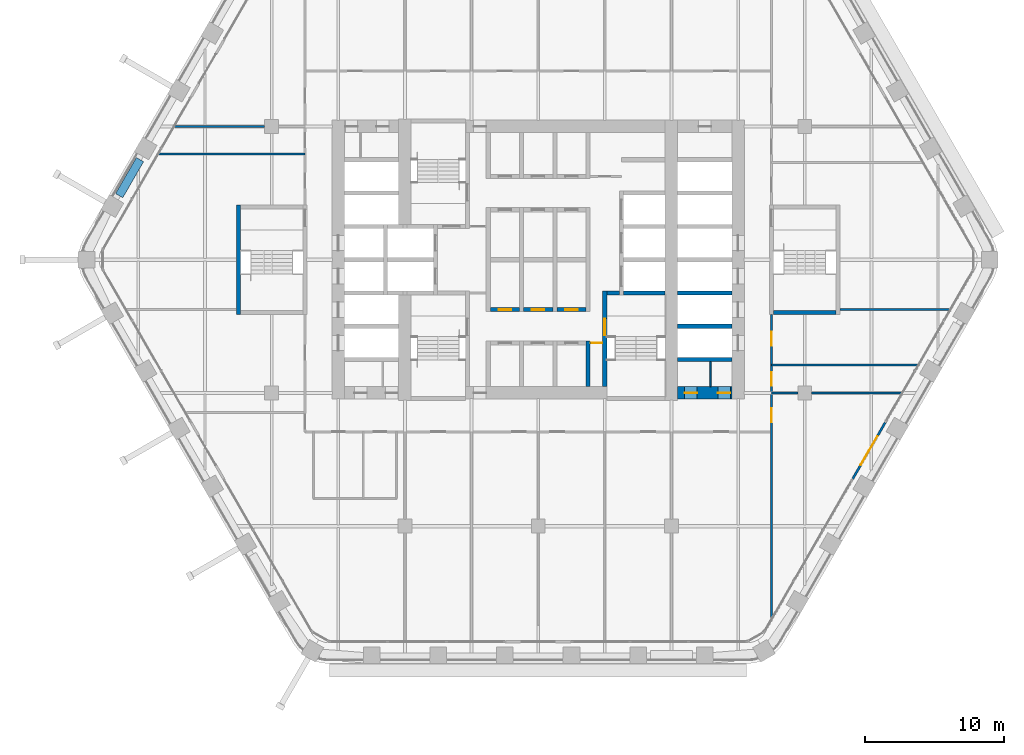
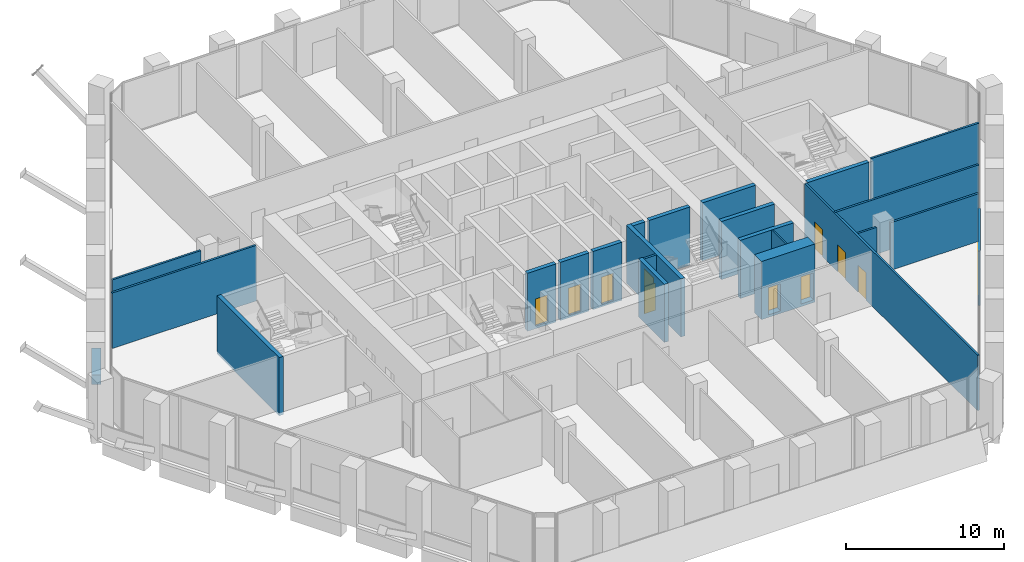
# One storey, part 16 of 27: 24 walls, 11 doors, 11 openings.
"""IFC4 building model written with IfcOpenShell, lengths in metres."""

from ifc_helpers import new_model, si_unit, direction, frame, frame_2d, origin, place, context, subcontext, project, spatial, rectangle, extrude, material, layer, layer_set, type_object, element, fill, save


model = new_model("IFC4")

# Units and contexts
model_context = context("Model", 3, precision=1e-05, world=origin(), true_north=direction((0.0, 1.0)))
body_context = subcontext(model_context, "Body", "Model", "MODEL_VIEW")
ifc_project = project(units=[si_unit("LENGTHUNIT", "METRE"), si_unit("AREAUNIT", "SQUARE_METRE"), si_unit("VOLUMEUNIT", "CUBIC_METRE"), si_unit("PLANEANGLEUNIT", "RADIAN"), si_unit("MASSUNIT", "GRAM", prefix="KILO")], contexts=[model_context])

# Site, building, storey
site_placement = place(None, origin())
site = spatial("IfcSite", under=ifc_project, at=site_placement, CompositionType="ELEMENT")
building_placement = place(site_placement, origin())
building = spatial("IfcBuilding", under=site, at=building_placement, Name="Kolab Exchange Tower", CompositionType="ELEMENT")
storey_placement = place(building_placement, frame((0.0, 0.0, 118.39990234375)))
storey = spatial("IfcBuildingStorey", under=building, at=storey_placement, Name="L23", CompositionType="ELEMENT", Elevation=118.39990234375)

# Wall, openings, doors
ifc_material_1 = material(Name="Concrete C70/85", Category="concrete")
ifc_layer_1 = layer(ifc_material_1, 0.89990234375)
ifc_layer_set_1 = layer_set([ifc_layer_1], Name="Concrete C70/85")
wall_type_1 = type_object("IfcWallType", Name="CORE WALL 900 C70/85", PredefinedType="SHEAR", material=ifc_layer_set_1)
wall_1_placement = place(storey_placement, frame((10.050048828125, -9.60009765625, -0.199951171875), z_axis=(0.0, 0.0, 1.0), x_axis=(1.0, 0.0, 0.0)))
wall_1 = element("IfcWall", 1, at=wall_1_placement, inside=storey, type_object=wall_type_1, Name="wall/L23/core/004", PredefinedType="SHEAR", context=body_context, shape_type="SweptSolid", body=[
    extrude(rectangle(XDim=3.89990234375, YDim=0.89990234375, at=frame_2d((1.949951171875, 0.0))), origin(), (0.0, 0.0, 1.0), 4.5),
])
opening_1_placement = place(wall_1_placement, frame((0.5, 0.0, 0.199951171875)))
opening_1 = element("IfcOpeningElement", 2, at=opening_1_placement, cuts=wall_1, Name="Opening D6-232", PredefinedType="OPENING", context=body_context, shape_type="SweptSolid", body=[
    extrude(rectangle(XDim=0.89990234375, YDim=2.10009765625, at=frame_2d((0.449951171875, 1.050048828125))), frame((0.0, 0.4599609375, 0.0), z_axis=(0.0, -1.0, 0.0), x_axis=(1.0, 0.0, 0.0)), (0.0, 0.0, 1.0), 0.919921875),
])
opening_2_placement = place(wall_1_placement, frame((2.89990234375, 0.0, 0.199951171875)))
opening_2 = element("IfcOpeningElement", 3, at=opening_2_placement, cuts=wall_1, Name="Opening D6-233", PredefinedType="OPENING", context=body_context, shape_type="SweptSolid", body=[
    extrude(rectangle(XDim=0.89990234375, YDim=2.10009765625, at=frame_2d((0.449951171875, 1.050048828125))), frame((0.0, 0.4599609375, 0.0), z_axis=(0.0, -1.0, 0.0), x_axis=(1.0, 0.0, 0.0)), (0.0, 0.0, 1.0), 0.919921875),
])
ifc_material_2 = material(Name="Steel S235", Category="steel")
door_type_1 = type_object("IfcDoorType", Name="CORE DOOR 900 EI 120", OperationType="SINGLE_SWING_LEFT", PredefinedType="DOOR", material=ifc_material_2)
door_1_placement = place(opening_1_placement, origin())
door_1 = element("IfcDoor", 4, at=door_1_placement, inside=storey, type_object=door_type_1, Name="Service room door", OperationType="SINGLE_SWING_LEFT", OverallHeight=2.10009765625, OverallWidth=0.89990234375, PredefinedType="DOOR", context=body_context, shape_type="SweptSolid", body=[
    extrude(rectangle(XDim=0.89990234375, YDim=2.10009765625, at=frame_2d((0.449951171875, 1.050048828125))), frame((0.0, 0.02490234375, 0.0), z_axis=(0.0, -1.0, 0.0), x_axis=(1.0, 0.0, 0.0)), (0.0, 0.0, 1.0), 0.050048828125),
])
fill(opening_1, door_1)
door_2_placement = place(opening_2_placement, origin())
door_2 = element("IfcDoor", 5, at=door_2_placement, inside=storey, type_object=door_type_1, Name="Service room door", OperationType="SINGLE_SWING_LEFT", OverallHeight=2.10009765625, OverallWidth=0.89990234375, PredefinedType="DOOR", context=body_context, shape_type="SweptSolid", body=[
    extrude(rectangle(XDim=0.89990234375, YDim=2.10009765625, at=frame_2d((0.449951171875, 1.050048828125))), frame((0.0, 0.02490234375, 0.0), z_axis=(0.0, -1.0, 0.0), x_axis=(1.0, 0.0, 0.0)), (0.0, 0.0, 1.0), 0.050048828125),
])
fill(opening_2, door_2)

# Wall, opening, door
ifc_material_3 = material(Name="Aluminium EN AW-6063 T6", Category="aluminium")
ifc_layer_2 = layer(ifc_material_3, 0.159912109375)
ifc_layer_set_2 = layer_set([ifc_layer_2], Name="Aluminium EN AW-6063 T6")
wall_type_2 = type_object("IfcWallType", Name="DOOR SURROUND WALL 160 ALUMINIUM FRAMED", PredefinedType="PARTITIONING", material=ifc_layer_set_2)
wall_2_placement = place(storey_placement, frame((25.0166015625, -11.706787109375, 0.0), z_axis=(0.0, 0.0, 1.0), x_axis=(-0.499978080042, -0.866038058908, 0.0)))
wall_2 = element("IfcWall", 6, at=wall_2_placement, inside=storey, type_object=wall_type_2, Name="Door surround wall", PredefinedType="PARTITIONING", context=body_context, shape_type="SweptSolid", body=[
    extrude(rectangle(XDim=4.739990234375, YDim=0.159912109375, at=frame_2d((2.3701171875, 0.0))), origin(), (0.0, 0.0, 1.0), 4.2001953125),
])
opening_3_placement = place(wall_2_placement, frame((1.169921875, 0.0, 0.0)))
opening_3 = element("IfcOpeningElement", 7, at=opening_3_placement, cuts=wall_2, Name="Opening GD1-045", PredefinedType="OPENING", context=body_context, shape_type="SweptSolid", body=[
    extrude(rectangle(XDim=2.39990234375, YDim=2.39990234375, at=frame_2d((1.199951171875, 1.199951171875))), frame((0.0, 0.08984375, 0.0), z_axis=(0.0, -1.0, 0.0), x_axis=(1.0, 0.0, 0.0)), (0.0, 0.0, 1.0), 0.179931640625),
])
door_type_2 = type_object("IfcDoorType", Name="LOGGIA SLIDING GLASS DOOR 2400 X 2400", OperationType="DOUBLE_DOOR_SINGLE_SWING", PredefinedType="DOOR", material=ifc_material_3)
door_3_placement = place(opening_3_placement, origin())
door_3 = element("IfcDoor", 8, at=door_3_placement, inside=storey, type_object=door_type_2, Name="Loggia door", OperationType="DOUBLE_DOOR_SLIDING", OverallHeight=2.39990234375, OverallWidth=2.39990234375, PredefinedType="DOOR", context=body_context, shape_type="SweptSolid", body=[
    extrude(rectangle(XDim=2.39990234375, YDim=2.39990234375, at=frame_2d((1.199951171875, 1.199951171875))), frame((0.0, 0.02490234375, 0.0), z_axis=(0.0, -1.0, 0.0), x_axis=(1.0, 0.0, 0.0)), (0.0, 0.0, 1.0), 0.050048828125),
])
fill(opening_3, door_3)

# Walls
ifc_material_4 = material(Name="Concrete C50/60", Category="concrete")
ifc_layer_3 = layer(ifc_material_4, 0.300048828125)
ifc_layer_set_3 = layer_set([ifc_layer_3], Name="Concrete C50/60")
wall_type_3 = type_object("IfcWallType", Name="LIFT SHAFT WALL 300 C50/60", PredefinedType="STANDARD", material=ifc_layer_set_3)
for number, where, z_axis, x_axis, name in (
    (9, (10.050048828125, -7.199951171875, -0.199951171875), (0.0, 0.0, 1.0), (1.0, 0.0, 0.0), "wall/L23/core/006"),
    (10, (10.050048828125, -4.800048828125, -0.199951171875), (0.0, 0.0, 1.0), (1.0, 0.0, 0.0), "wall/L23/core/011"),
):
    element("IfcWall", number, at=place(storey_placement, frame(where, z_axis=z_axis, x_axis=x_axis)), inside=storey, type_object=wall_type_3, Name=name, PredefinedType="STANDARD", context=body_context, shape_type="SweptSolid", body=[
        extrude(rectangle(XDim=3.89990234375, YDim=0.300048828125, at=frame_2d((1.949951171875, 0.0))), origin(), (0.0, 0.0, 1.0), 4.5),
    ])

# Wall, opening, door
wall_3_placement = place(storey_placement, frame((-3.449951171875, -3.60009765625, -0.199951171875), z_axis=(0.0, 0.0, 1.0), x_axis=(1.0, 0.0, 0.0)))
wall_3 = element("IfcWall", 11, at=wall_3_placement, inside=storey, type_object=wall_type_3, Name="wall/L23/core/014", PredefinedType="STANDARD", context=body_context, shape_type="SweptSolid", body=[
    extrude(rectangle(XDim=2.099853515625, YDim=0.300048828125, at=frame_2d((1.0498046875, 0.0))), origin(), (0.0, 0.0, 1.0), 4.5),
])
opening_4_placement = place(wall_3_placement, frame((0.60009765625, 0.0, 0.199951171875)))
opening_4 = element("IfcOpeningElement", 12, at=opening_4_placement, cuts=wall_3, Name="Opening D6-199", PredefinedType="OPENING", context=body_context, shape_type="SweptSolid", body=[
    extrude(rectangle(XDim=0.89990234375, YDim=2.10009765625, at=frame_2d((0.449951171875, 1.050048828125))), frame((0.0, 0.16015625, 0.0), z_axis=(0.0, -1.0, 0.0), x_axis=(1.0, 0.0, 0.0)), (0.0, 0.0, 1.0), 0.320068359375),
])
door_4_placement = place(opening_4_placement, origin())
door_4 = element("IfcDoor", 13, at=door_4_placement, inside=storey, type_object=door_type_1, Name="Service room door", OperationType="SINGLE_SWING_LEFT", OverallHeight=2.10009765625, OverallWidth=0.89990234375, PredefinedType="DOOR", context=body_context, shape_type="SweptSolid", body=[
    extrude(rectangle(XDim=0.89990234375, YDim=2.10009765625, at=frame_2d((0.449951171875, 1.050048828125))), frame((0.0, 0.02490234375, 0.0), z_axis=(0.0, -1.0, 0.0), x_axis=(1.0, 0.0, 0.0)), (0.0, 0.0, 1.0), 0.050048828125),
])
fill(opening_4, door_4)

wall_4_placement = place(storey_placement, frame((-1.050048828125, -3.60009765625, -0.199951171875), z_axis=(0.0, 0.0, 1.0), x_axis=(1.0, 0.0, 0.0)))
wall_4 = element("IfcWall", 14, at=wall_4_placement, inside=storey, type_object=wall_type_3, Name="wall/L23/core/015", PredefinedType="STANDARD", context=body_context, shape_type="SweptSolid", body=[
    extrude(rectangle(XDim=2.10009765625, YDim=0.300048828125, at=frame_2d((1.050048828125, 0.0))), origin(), (0.0, 0.0, 1.0), 4.5),
])
opening_5_placement = place(wall_4_placement, frame((0.60009765625, 0.0, 0.199951171875)))
opening_5 = element("IfcOpeningElement", 15, at=opening_5_placement, cuts=wall_4, Name="Opening D6-215", PredefinedType="OPENING", context=body_context, shape_type="SweptSolid", body=[
    extrude(rectangle(XDim=0.89990234375, YDim=2.10009765625, at=frame_2d((0.449951171875, 1.050048828125))), frame((0.0, 0.16015625, 0.0), z_axis=(0.0, -1.0, 0.0), x_axis=(1.0, 0.0, 0.0)), (0.0, 0.0, 1.0), 0.320068359375),
])
door_5_placement = place(opening_5_placement, origin())
door_5 = element("IfcDoor", 16, at=door_5_placement, inside=storey, type_object=door_type_1, Name="Service room door", OperationType="SINGLE_SWING_LEFT", OverallHeight=2.10009765625, OverallWidth=0.89990234375, PredefinedType="DOOR", context=body_context, shape_type="SweptSolid", body=[
    extrude(rectangle(XDim=0.89990234375, YDim=2.10009765625, at=frame_2d((0.449951171875, 1.050048828125))), frame((0.0, 0.02490234375, 0.0), z_axis=(0.0, -1.0, 0.0), x_axis=(1.0, 0.0, 0.0)), (0.0, 0.0, 1.0), 0.050048828125),
])
fill(opening_5, door_5)

wall_5_placement = place(storey_placement, frame((1.35009765625, -3.60009765625, -0.199951171875), z_axis=(0.0, 0.0, 1.0), x_axis=(1.0, 0.0, 0.0)))
wall_5 = element("IfcWall", 17, at=wall_5_placement, inside=storey, type_object=wall_type_3, Name="wall/L23/core/016", PredefinedType="STANDARD", context=body_context, shape_type="SweptSolid", body=[
    extrude(rectangle(XDim=2.099853515625, YDim=0.300048828125, at=frame_2d((1.0498046875, 0.0))), origin(), (0.0, 0.0, 1.0), 4.5),
])
opening_6_placement = place(wall_5_placement, frame((0.60009765625, 0.0, 0.199951171875)))
opening_6 = element("IfcOpeningElement", 18, at=opening_6_placement, cuts=wall_5, Name="Opening D6-197", PredefinedType="OPENING", context=body_context, shape_type="SweptSolid", body=[
    extrude(rectangle(XDim=0.89990234375, YDim=2.10009765625, at=frame_2d((0.449951171875, 1.050048828125))), frame((0.0, 0.16015625, 0.0), z_axis=(0.0, -1.0, 0.0), x_axis=(1.0, 0.0, 0.0)), (0.0, 0.0, 1.0), 0.320068359375),
])
door_6_placement = place(opening_6_placement, origin())
door_6 = element("IfcDoor", 19, at=door_6_placement, inside=storey, type_object=door_type_1, Name="Service room door", OperationType="SINGLE_SWING_RIGHT", OverallHeight=2.10009765625, OverallWidth=0.89990234375, PredefinedType="DOOR", context=body_context, shape_type="SweptSolid", body=[
    extrude(rectangle(XDim=0.89990234375, YDim=2.10009765625, at=frame_2d((0.449951171875, 1.050048828125))), frame((0.0, 0.02490234375, 0.0), z_axis=(0.0, -1.0, 0.0), x_axis=(1.0, 0.0, 0.0)), (0.0, 0.0, 1.0), 0.050048828125),
])
fill(opening_6, door_6)

# Walls
wall_6_placement = place(storey_placement, frame((10.050048828125, -2.39990234375, -0.199951171875), z_axis=(0.0, 0.0, 1.0), x_axis=(1.0, 0.0, 0.0)))
element("IfcWall", 20, at=wall_6_placement, inside=storey, type_object=wall_type_3, Name="wall/L23/core/023", PredefinedType="STANDARD", context=body_context, shape_type="SweptSolid", body=[
    extrude(rectangle(XDim=3.89990234375, YDim=0.300048828125, at=frame_2d((1.949951171875, 0.0))), origin(), (0.0, 0.0, 1.0), 4.5),
])
wall_7_placement = place(storey_placement, frame((3.60009765625, -9.14990234375, -0.199951171875), z_axis=(0.0, 0.0, 1.0), x_axis=(0.0, 1.0, 0.0)))
element("IfcWall", 21, at=wall_7_placement, inside=storey, type_object=wall_type_3, Name="wall/L23/core/075", PredefinedType="STANDARD", context=body_context, shape_type="SweptSolid", body=[
    extrude(rectangle(XDim=3.2998046875, YDim=0.300048828125, at=frame_2d((1.64990234375, 0.0))), origin(), (0.0, 0.0, 1.0), 4.5),
])
ifc_material_5 = material(Name="Gypsum board", Category="gypsum")
ifc_layer_4 = layer(ifc_material_5, 0.10009765625)
ifc_layer_set_4 = layer_set([ifc_layer_4], Name="Gypsum board")
wall_type_4 = type_object("IfcWallType", Name="PARTITION 100", PredefinedType="PARTITIONING", material=ifc_layer_set_4)
wall_8_placement = place(storey_placement, frame((12.39990234375, -9.14990234375, 0.0), z_axis=(0.0, 0.0, 1.0), x_axis=(0.0, 1.0, 0.0)))
element("IfcWall", 22, at=wall_8_placement, inside=storey, type_object=wall_type_4, Name="Partition 002", PredefinedType="PARTITIONING", context=body_context, shape_type="SweptSolid", body=[
    extrude(rectangle(XDim=1.7998046875, YDim=0.10009765625, at=frame_2d((0.89990234375, 0.0))), origin(), (0.0, 0.0, 1.0), 4.300048828125),
])

# Wall, openings, doors
ifc_layer_5 = layer(ifc_material_5, 0.14990234375)
ifc_layer_set_5 = layer_set([ifc_layer_5], Name="Gypsum board")
wall_type_5 = type_object("IfcWallType", Name="PARTITION 150 FIRE-RATED", PredefinedType="PARTITIONING", material=ifc_layer_set_5)
wall_9_placement = place(storey_placement, frame((16.800048828125, -25.8583984375, 0.0), z_axis=(0.0, 0.0, 1.0), x_axis=(0.0, 1.0, 0.0)))
wall_9 = element("IfcWall", 23, at=wall_9_placement, inside=storey, type_object=wall_type_5, Name="Partition 000", PredefinedType="PARTITIONING", context=body_context, shape_type="SweptSolid", body=[
    extrude(rectangle(XDim=21.908447265625, YDim=0.14990234375, at=frame_2d((10.9541015625, 0.0))), origin(), (0.0, 0.0, 1.0), 4.300048828125),
])
opening_7_placement = place(wall_9_placement, frame((14.158447265625, 0.0, 0.0)))
opening_7 = element("IfcOpeningElement", 24, at=opening_7_placement, cuts=wall_9, Name="Opening D1-313", PredefinedType="OPENING", context=body_context, shape_type="SweptSolid", body=[
    extrude(rectangle(XDim=1.0, YDim=2.10009765625, at=frame_2d((0.5, 1.050048828125))), frame((0.0, 0.0849609375, 0.0), z_axis=(0.0, -1.0, 0.0), x_axis=(1.0, 0.0, 0.0)), (0.0, 0.0, 1.0), 0.169921875),
])
opening_8_placement = place(wall_9_placement, frame((16.758544921875, 0.0, 0.0)))
opening_8 = element("IfcOpeningElement", 25, at=opening_8_placement, cuts=wall_9, Name="Opening D1-314", PredefinedType="OPENING", context=body_context, shape_type="SweptSolid", body=[
    extrude(rectangle(XDim=1.0, YDim=2.10009765625, at=frame_2d((0.5, 1.050048828125))), frame((0.0, 0.0849609375, 0.0), z_axis=(0.0, -1.0, 0.0), x_axis=(1.0, 0.0, 0.0)), (0.0, 0.0, 1.0), 0.169921875),
])
opening_9_placement = place(wall_9_placement, frame((19.658447265625, 0.0, 0.0)))
opening_9 = element("IfcOpeningElement", 26, at=opening_9_placement, cuts=wall_9, Name="Opening D1-315", PredefinedType="OPENING", context=body_context, shape_type="SweptSolid", body=[
    extrude(rectangle(XDim=1.0, YDim=2.10009765625, at=frame_2d((0.5, 1.050048828125))), frame((0.0, 0.0849609375, 0.0), z_axis=(0.0, -1.0, 0.0), x_axis=(1.0, 0.0, 0.0)), (0.0, 0.0, 1.0), 0.169921875),
])
door_type_3 = type_object("IfcDoorType", Name="FLUSH DOOR 1000 FD60", OperationType="SINGLE_SWING_LEFT", PredefinedType="DOOR", material=ifc_material_2)
door_7_placement = place(opening_7_placement, frame((1.0, 0.0, 0.0), z_axis=(0.0, 0.0, 1.0), x_axis=(-1.0, 0.0, 0.0)))
door_7 = element("IfcDoor", 27, at=door_7_placement, inside=storey, type_object=door_type_3, Name="Door L23-060", OperationType="SINGLE_SWING_RIGHT", OverallHeight=2.10009765625, OverallWidth=1.0, PredefinedType="DOOR", context=body_context, shape_type="SweptSolid", body=[
    extrude(rectangle(XDim=1.0, YDim=2.10009765625, at=frame_2d((0.5, 1.050048828125))), frame((0.0, 0.02490234375, 0.0), z_axis=(0.0, -1.0, 0.0), x_axis=(1.0, 0.0, 0.0)), (0.0, 0.0, 1.0), 0.050048828125),
])
fill(opening_7, door_7)
door_8_placement = place(opening_8_placement, frame((1.0, 0.0, 0.0), z_axis=(0.0, 0.0, 1.0), x_axis=(-1.0, 0.0, 0.0)))
door_8 = element("IfcDoor", 28, at=door_8_placement, inside=storey, type_object=door_type_3, Name="Door L23-061", OperationType="SINGLE_SWING_RIGHT", OverallHeight=2.10009765625, OverallWidth=1.0, PredefinedType="DOOR", context=body_context, shape_type="SweptSolid", body=[
    extrude(rectangle(XDim=1.0, YDim=2.10009765625, at=frame_2d((0.5, 1.050048828125))), frame((0.0, 0.02490234375, 0.0), z_axis=(0.0, -1.0, 0.0), x_axis=(1.0, 0.0, 0.0)), (0.0, 0.0, 1.0), 0.050048828125),
])
fill(opening_8, door_8)
door_9_placement = place(opening_9_placement, frame((1.0, 0.0, 0.0), z_axis=(0.0, 0.0, 1.0), x_axis=(-1.0, 0.0, 0.0)))
door_9 = element("IfcDoor", 29, at=door_9_placement, inside=storey, type_object=door_type_3, Name="Door L23-062", OperationType="SINGLE_SWING_RIGHT", OverallHeight=2.10009765625, OverallWidth=1.0, PredefinedType="DOOR", context=body_context, shape_type="SweptSolid", body=[
    extrude(rectangle(XDim=1.0, YDim=2.10009765625, at=frame_2d((0.5, 1.050048828125))), frame((0.0, 0.02490234375, 0.0), z_axis=(0.0, -1.0, 0.0), x_axis=(1.0, 0.0, 0.0)), (0.0, 0.0, 1.0), 0.050048828125),
])
fill(opening_9, door_9)

# Walls
wall_10_placement = place(storey_placement, frame((16.800048828125, -9.60009765625, 0.0), z_axis=(0.0, 0.0, 1.0), x_axis=(1.0, 0.0, 0.0)))
element("IfcWall", 30, at=wall_10_placement, inside=storey, type_object=wall_type_5, Name="Partition 029", PredefinedType="PARTITIONING", context=body_context, shape_type="SweptSolid", body=[
    extrude(rectangle(XDim=1.89990234375, YDim=0.14990234375, at=frame_2d((0.949951171875, 0.0))), origin(), (0.0, 0.0, 1.0), 3.692138671875),
])
wall_11_placement = place(storey_placement, frame((19.699951171875, -9.60009765625, 0.0), z_axis=(0.0, 0.0, 1.0), x_axis=(1.0, 0.0, 0.0)))
element("IfcWall", 31, at=wall_11_placement, inside=storey, type_object=wall_type_5, Name="Partition 030", PredefinedType="PARTITIONING", context=body_context, shape_type="SweptSolid", body=[
    extrude(rectangle(XDim=6.48681640625, YDim=0.14990234375, at=frame_2d((3.243408203125, 0.0))), origin(), (0.0, 0.0, 1.0), 3.692138671875),
])
wall_12_placement = place(storey_placement, frame((16.800048828125, -7.60009765625, 0.0), z_axis=(0.0, 0.0, 1.0), x_axis=(1.0, 0.0, 0.0)))
element("IfcWall", 32, at=wall_12_placement, inside=storey, type_object=wall_type_5, Name="Partition 031", PredefinedType="PARTITIONING", context=body_context, shape_type="SweptSolid", body=[
    extrude(rectangle(XDim=10.54150390625, YDim=0.14990234375, at=frame_2d((5.270751953125, 0.0))), origin(), (0.0, 0.0, 1.0), 4.300048828125),
])

# Wall, opening, door
wall_13_placement = place(storey_placement, frame((3.75, -6.0, 0.0), z_axis=(0.0, 0.0, 1.0), x_axis=(1.0, 0.0, 0.0)))
wall_13 = element("IfcWall", 33, at=wall_13_placement, inside=storey, type_object=wall_type_5, Name="Partition 032", PredefinedType="PARTITIONING", context=body_context, shape_type="SweptSolid", body=[
    extrude(rectangle(XDim=0.89990234375, YDim=0.14990234375, at=frame_2d((0.449951171875, 0.0))), origin(), (0.0, 0.0, 1.0), 4.300048828125),
])
opening_10_placement = place(wall_13_placement, frame((0.050048828125, 0.0, 0.0)))
opening_10 = element("IfcOpeningElement", 34, at=opening_10_placement, cuts=wall_13, Name="Opening D7-019", PredefinedType="OPENING", context=body_context, shape_type="SweptSolid", body=[
    extrude(rectangle(XDim=0.800048828125, YDim=2.10009765625, at=frame_2d((0.39990234375, 1.050048828125))), frame((0.0, 0.0849609375, 0.0), z_axis=(0.0, -1.0, 0.0), x_axis=(1.0, 0.0, 0.0)), (0.0, 0.0, 1.0), 0.169921875),
])
door_type_4 = type_object("IfcDoorType", Name="FLUSH DOOR 800 FD60", OperationType="SINGLE_SWING_LEFT", PredefinedType="DOOR", material=ifc_material_2)
door_10_placement = place(opening_10_placement, frame((0.800048828125, 0.0, 0.0), z_axis=(0.0, 0.0, 1.0), x_axis=(-1.0, 0.0, 0.0)))
door_10 = element("IfcDoor", 35, at=door_10_placement, inside=storey, type_object=door_type_4, Name="Door L23-041", OperationType="SINGLE_SWING_RIGHT", OverallHeight=2.10009765625, OverallWidth=0.800048828125, PredefinedType="DOOR", context=body_context, shape_type="SweptSolid", body=[
    extrude(rectangle(XDim=0.800048828125, YDim=2.10009765625, at=frame_2d((0.39990234375, 1.050048828125))), frame((0.0, 0.02490234375, 0.0), z_axis=(0.0, -1.0, 0.0), x_axis=(1.0, 0.0, 0.0)), (0.0, 0.0, 1.0), 0.050048828125),
])
fill(opening_10, door_10)

# Walls
wall_14_placement = place(storey_placement, frame((21.75, -3.60009765625, 0.0), z_axis=(0.0, 0.0, 1.0), x_axis=(1.0, 0.0, 0.0)))
element("IfcWall", 36, at=wall_14_placement, inside=storey, type_object=wall_type_5, Name="Partition 034", PredefinedType="PARTITIONING", context=body_context, shape_type="SweptSolid", body=[
    extrude(rectangle(XDim=7.90087890625, YDim=0.14990234375, at=frame_2d((3.950439453125, 0.0))), origin(), (0.0, 0.0, 1.0), 4.300048828125),
])
wall_15_placement = place(storey_placement, frame((-27.341552734375, 7.60009765625, 0.0), z_axis=(0.0, 0.0, 1.0), x_axis=(1.0, 0.0, 0.0)))
element("IfcWall", 37, at=wall_15_placement, inside=storey, type_object=wall_type_5, Name="Partition 037", PredefinedType="PARTITIONING", context=body_context, shape_type="SweptSolid", body=[
    extrude(rectangle(XDim=10.54150390625, YDim=0.14990234375, at=frame_2d((5.270751953125, 0.0))), origin(), (0.0, 0.0, 1.0), 4.300048828125),
])
wall_16_placement = place(storey_placement, frame((-26.186767578125, 9.60009765625, 0.0), z_axis=(0.0, 0.0, 1.0), x_axis=(1.0, 0.0, 0.0)))
element("IfcWall", 38, at=wall_16_placement, inside=storey, type_object=wall_type_5, Name="Partition 038", PredefinedType="PARTITIONING", context=body_context, shape_type="SweptSolid", body=[
    extrude(rectangle(XDim=6.48681640625, YDim=0.14990234375, at=frame_2d((3.243408203125, 0.0))), origin(), (0.0, 0.0, 1.0), 3.692138671875),
])
ifc_material_6 = material(Name="Granite facing", Category="masonry")
ifc_layer_6 = layer(ifc_material_6, 0.0400390625)
ifc_material_7 = material(Name="Concrete C40/50 precast", Category="concrete")
ifc_layer_7 = layer(ifc_material_7, 0.56005859375)
ifc_layer_set_6 = layer_set([ifc_layer_6, ifc_layer_7], Name="Concrete C40/50 precast")
wall_type_6 = type_object("IfcWallType", Name="PLANTER BOX 600 X 700 SOIL DEPTH 550", PredefinedType="USERDEFINED", material=ifc_layer_set_6)
wall_17_placement = place(storey_placement, frame((-30.18701171875, 4.611328125, 0.0), z_axis=(0.0, 0.0, 1.0), x_axis=(0.499990139034, 0.866031096941, 0.0)))
element("IfcWall", 39, at=wall_17_placement, inside=storey, type_object=wall_type_6, Name="Planter", ObjectType="PLANTER", PredefinedType="USERDEFINED", context=body_context, shape_type="SweptSolid", body=[
    extrude(rectangle(XDim=3.0, YDim=0.60009765625, at=frame_2d((1.5, 0.0))), origin(), (0.0, 0.0, 1.0), 0.7001953125),
])
ifc_layer_8 = layer(ifc_material_4, 0.300048828125)
ifc_layer_set_7 = layer_set([ifc_layer_8], Name="Concrete C50/60")
wall_type_7 = type_object("IfcWallType", Name="STAIR ENCLOSURE WALL 300 C50/60", PredefinedType="STANDARD", material=ifc_layer_set_7)
wall_18_placement = place(storey_placement, frame((16.949951171875, -3.800048828125, -0.199951171875), z_axis=(0.0, 0.0, 1.0), x_axis=(1.0, 0.0, 0.0)))
element("IfcWall", 40, at=wall_18_placement, inside=storey, type_object=wall_type_7, Name="wall/L23/core/013", PredefinedType="STANDARD", context=body_context, shape_type="SweptSolid", body=[
    extrude(rectangle(XDim=4.5, YDim=0.300048828125, at=frame_2d((2.25, 0.0))), origin(), (0.0, 0.0, 1.0), 4.5),
])
wall_19_placement = place(storey_placement, frame((4.949951171875, -2.39990234375, -0.199951171875), z_axis=(0.0, 0.0, 1.0), x_axis=(1.0, 0.0, 0.0)))
element("IfcWall", 41, at=wall_19_placement, inside=storey, type_object=wall_type_7, Name="wall/L23/core/021", PredefinedType="STANDARD", context=body_context, shape_type="SweptSolid", body=[
    extrude(rectangle(XDim=0.900146484375, YDim=0.300048828125, at=frame_2d((0.4501953125, 0.0))), origin(), (0.0, 0.0, 1.0), 4.5),
])
wall_20_placement = place(storey_placement, frame((6.14990234375, -2.39990234375, -0.199951171875), z_axis=(0.0, 0.0, 1.0), x_axis=(1.0, 0.0, 0.0)))
element("IfcWall", 42, at=wall_20_placement, inside=storey, type_object=wall_type_7, Name="wall/L23/core/022", PredefinedType="STANDARD", context=body_context, shape_type="SweptSolid", body=[
    extrude(rectangle(XDim=3.0, YDim=0.300048828125, at=frame_2d((1.5, 0.0))), origin(), (0.0, 0.0, 1.0), 4.5),
])
wall_21_placement = place(storey_placement, frame((-21.60009765625, -3.949951171875, -0.199951171875), z_axis=(0.0, 0.0, 1.0), x_axis=(0.0, 1.0, 0.0)))
element("IfcWall", 43, at=wall_21_placement, inside=storey, type_object=wall_type_7, Name="wall/L23/core/055", PredefinedType="STANDARD", context=body_context, shape_type="SweptSolid", body=[
    extrude(rectangle(XDim=7.89990234375, YDim=0.300048828125, at=frame_2d((3.949951171875, 0.0))), origin(), (0.0, 0.0, 1.0), 4.5),
])

# Wall, opening, door
wall_22_placement = place(storey_placement, frame((4.800048828125, -9.14990234375, -0.199951171875), z_axis=(0.0, 0.0, 1.0), x_axis=(0.0, 1.0, 0.0)))
wall_22 = element("IfcWall", 44, at=wall_22_placement, inside=storey, type_object=wall_type_7, Name="wall/L23/core/078", PredefinedType="STANDARD", context=body_context, shape_type="SweptSolid", body=[
    extrude(rectangle(XDim=6.89990234375, YDim=0.300048828125, at=frame_2d((3.449951171875, 0.0))), origin(), (0.0, 0.0, 1.0), 4.5),
])
opening_11_placement = place(wall_22_placement, frame((3.699951171875, 0.0, 0.199951171875)))
opening_11 = element("IfcOpeningElement", 45, at=opening_11_placement, cuts=wall_22, Name="Opening D4-045", PredefinedType="OPENING", context=body_context, shape_type="SweptSolid", body=[
    extrude(rectangle(XDim=1.199951171875, YDim=2.10009765625, at=frame_2d((0.60009765625, 1.050048828125))), frame((0.0, 0.16015625, 0.0), z_axis=(0.0, -1.0, 0.0), x_axis=(1.0, 0.0, 0.0)), (0.0, 0.0, 1.0), 0.320068359375),
])
door_type_5 = type_object("IfcDoorType", Name="STAIR DOOR 1200 EI 120", OperationType="SINGLE_SWING_LEFT", PredefinedType="DOOR", material=ifc_material_2)
door_11_placement = place(opening_11_placement, frame((1.199951171875, 0.0, 0.0), z_axis=(0.0, 0.0, 1.0), x_axis=(-1.0, 0.0, 0.0)))
door_11 = element("IfcDoor", 46, at=door_11_placement, inside=storey, type_object=door_type_5, Name="Stair 2 door", OperationType="SINGLE_SWING_RIGHT", OverallHeight=2.10009765625, OverallWidth=1.199951171875, PredefinedType="DOOR", context=body_context, shape_type="SweptSolid", body=[
    extrude(rectangle(XDim=1.199951171875, YDim=2.10009765625, at=frame_2d((0.60009765625, 1.050048828125))), frame((0.0, 0.02490234375, 0.0), z_axis=(0.0, -1.0, 0.0), x_axis=(1.0, 0.0, 0.0)), (0.0, 0.0, 1.0), 0.050048828125),
])
fill(opening_11, door_11)

save(model, "model.ifc")
